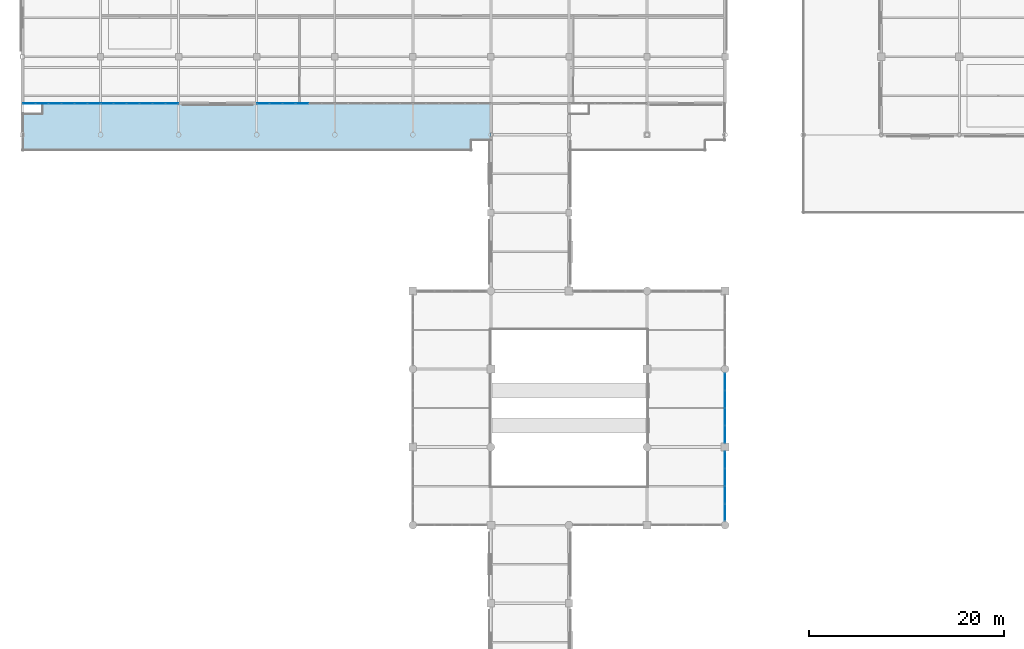
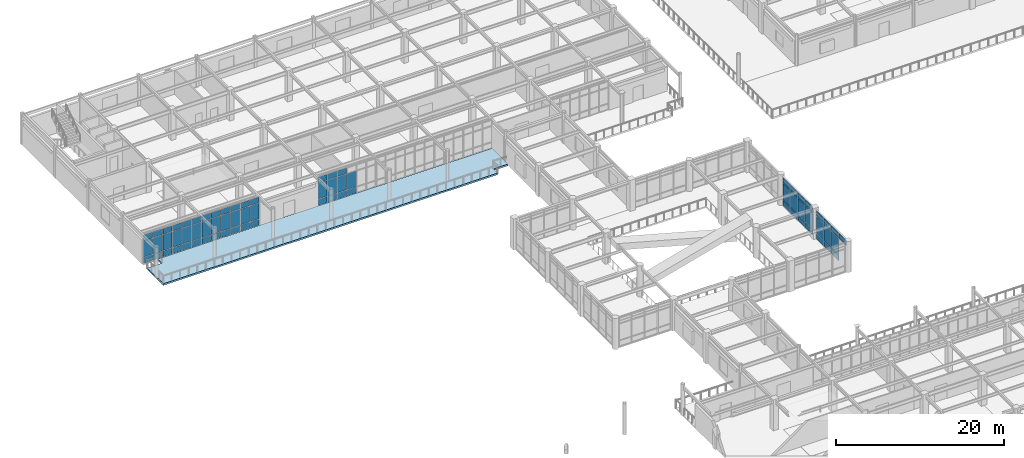
# One storey, part 50 of 75: 69 plates, 1 slab, 5 elements without a shape of their own.
"""IFC4 building model written with IfcOpenShell, lengths in metres."""

from ifc_helpers import new_model, si_unit, direction, frame, origin, origin_2d, place, context, subcontext, project, spatial, polyline, rectangle, outline, extrude, material, layer, layer_set, type_object, element, aggregate, save


model = new_model("IFC4")

# Units and contexts
model_context = context("Model", 3, precision=1e-05, world=origin(), true_north=direction((0.0, 1.0)))
body_context = subcontext(model_context, "Body", "Model", "MODEL_VIEW")
ifc_project = project(units=[si_unit("LENGTHUNIT", "METRE"), si_unit("AREAUNIT", "SQUARE_METRE"), si_unit("VOLUMEUNIT", "CUBIC_METRE"), si_unit("PLANEANGLEUNIT", "RADIAN"), si_unit("MASSUNIT", "GRAM", prefix="KILO")], contexts=[model_context])

# Site, building, storey
site_placement = place(None, origin())
site = spatial("IfcSite", under=ifc_project, at=site_placement, CompositionType="ELEMENT")
building_placement = place(site_placement, origin())
building = spatial("IfcBuilding", under=site, at=building_placement, Name="Solmirada Galleria", CompositionType="ELEMENT")
storey_placement = place(building_placement, frame((0.0, 0.0, 19.39990234375)))
storey = spatial("IfcBuildingStorey", under=building, at=storey_placement, Name="L04", CompositionType="ELEMENT", Elevation=19.39990234375)

# Curtain wall, plates
ifc_material_1 = material(Name="Impact-resistant low-E double glazing", Category="glass")
curtain_wall_type_1 = type_object("IfcCurtainWallType", Name="CW-FZ3-L04-B4-L072", PredefinedType="NOTDEFINED", material=ifc_material_1)
curtain_wall_1_placement = place(storey_placement, origin())
curtain_wall_1 = element("IfcCurtainWall", 1, at=curtain_wall_1_placement, inside=storey, type_object=curtain_wall_type_1, Name="Terrace and arcade storefront CW-L04-155", PredefinedType="NOTDEFINED")
ifc_layer_1 = layer(ifc_material_1, 0.0419921875)
ifc_layer_set_1 = layer_set([ifc_layer_1], Name="Impact-resistant low-E double glazing")
plate_type_1 = type_object("IfcPlateType", Name="CW-PNL-CW30-T42", PredefinedType="CURTAIN_PANEL", material=ifc_layer_set_1)
plate_1_placement = place(storey_placement, frame((112.0, 62.68359375, 0.06005859375), z_axis=(0.0, 0.0, 1.0), x_axis=(0.0, -1.0, 0.0)))
plate_1 = element("IfcPlate", 2, at=plate_1_placement, type_object=plate_type_1, Name="CW30 panel 1.1", PredefinedType="CURTAIN_PANEL", context=body_context, shape_type="SweptSolid", body=[
    extrude(rectangle(XDim=1.708984375, YDim=0.0419921875, at=origin_2d()), origin(), (0.0, 0.0, 1.0), 0.7900390625),
])
plate_2_placement = place(storey_placement, frame((112.0, 62.68359375, 0.91015625), z_axis=(0.0, 0.0, 1.0), x_axis=(0.0, -1.0, 0.0)))
plate_2 = element("IfcPlate", 3, at=plate_2_placement, type_object=plate_type_1, Name="CW30 panel 1.2", PredefinedType="CURTAIN_PANEL", context=body_context, shape_type="SweptSolid", body=[
    extrude(rectangle(XDim=1.708984375, YDim=0.0419921875, at=origin_2d()), origin(), (0.0, 0.0, 1.0), 2.39990234375),
])
plate_3_placement = place(storey_placement, frame((112.0, 62.68359375, 3.3701171875), z_axis=(0.0, 0.0, 1.0), x_axis=(0.0, -1.0, 0.0)))
plate_3 = element("IfcPlate", 4, at=plate_3_placement, type_object=plate_type_1, Name="CW30 panel 1.3", PredefinedType="CURTAIN_PANEL", context=body_context, shape_type="SweptSolid", body=[
    extrude(rectangle(XDim=1.708984375, YDim=0.0419921875, at=origin_2d()), origin(), (0.0, 0.0, 1.0), 0.7900390625),
])
plate_4_placement = place(storey_placement, frame((112.0, 60.8994140625, 0.06005859375), z_axis=(0.0, 0.0, 1.0), x_axis=(0.0, -1.0, 0.0)))
plate_4 = element("IfcPlate", 5, at=plate_4_placement, type_object=plate_type_1, Name="CW30 panel 2.1", PredefinedType="CURTAIN_PANEL", context=body_context, shape_type="SweptSolid", body=[
    extrude(rectangle(XDim=1.739013671875, YDim=0.0419921875, at=origin_2d()), origin(), (0.0, 0.0, 1.0), 0.7900390625),
])
plate_5_placement = place(storey_placement, frame((112.0, 60.8994140625, 0.91015625), z_axis=(0.0, 0.0, 1.0), x_axis=(0.0, -1.0, 0.0)))
plate_5 = element("IfcPlate", 6, at=plate_5_placement, type_object=plate_type_1, Name="CW30 panel 2.2", PredefinedType="CURTAIN_PANEL", context=body_context, shape_type="SweptSolid", body=[
    extrude(rectangle(XDim=1.739013671875, YDim=0.0419921875, at=origin_2d()), origin(), (0.0, 0.0, 1.0), 2.39990234375),
])
plate_6_placement = place(storey_placement, frame((112.0, 60.8994140625, 3.3701171875), z_axis=(0.0, 0.0, 1.0), x_axis=(0.0, -1.0, 0.0)))
plate_6 = element("IfcPlate", 7, at=plate_6_placement, type_object=plate_type_1, Name="CW30 panel 2.3", PredefinedType="CURTAIN_PANEL", context=body_context, shape_type="SweptSolid", body=[
    extrude(rectangle(XDim=1.739013671875, YDim=0.0419921875, at=origin_2d()), origin(), (0.0, 0.0, 1.0), 0.7900390625),
])
plate_7_placement = place(storey_placement, frame((112.0, 59.1005859375, 0.06005859375), z_axis=(0.0, 0.0, 1.0), x_axis=(0.0, -1.0, 0.0)))
plate_7 = element("IfcPlate", 8, at=plate_7_placement, type_object=plate_type_1, Name="CW30 panel 3.1", PredefinedType="CURTAIN_PANEL", context=body_context, shape_type="SweptSolid", body=[
    extrude(rectangle(XDim=1.739013671875, YDim=0.0419921875, at=origin_2d()), origin(), (0.0, 0.0, 1.0), 0.7900390625),
])
plate_8_placement = place(storey_placement, frame((112.0, 59.1005859375, 0.91015625), z_axis=(0.0, 0.0, 1.0), x_axis=(0.0, -1.0, 0.0)))
plate_8 = element("IfcPlate", 9, at=plate_8_placement, type_object=plate_type_1, Name="CW30 panel 3.2", PredefinedType="CURTAIN_PANEL", context=body_context, shape_type="SweptSolid", body=[
    extrude(rectangle(XDim=1.739013671875, YDim=0.0419921875, at=origin_2d()), origin(), (0.0, 0.0, 1.0), 2.39990234375),
])
plate_9_placement = place(storey_placement, frame((112.0, 59.1005859375, 3.3701171875), z_axis=(0.0, 0.0, 1.0), x_axis=(0.0, -1.0, 0.0)))
plate_9 = element("IfcPlate", 10, at=plate_9_placement, type_object=plate_type_1, Name="CW30 panel 3.3", PredefinedType="CURTAIN_PANEL", context=body_context, shape_type="SweptSolid", body=[
    extrude(rectangle(XDim=1.739013671875, YDim=0.0419921875, at=origin_2d()), origin(), (0.0, 0.0, 1.0), 0.7900390625),
])
plate_10_placement = place(storey_placement, frame((112.0, 57.31640625, 0.06005859375), z_axis=(0.0, 0.0, 1.0), x_axis=(0.0, -1.0, 0.0)))
plate_10 = element("IfcPlate", 11, at=plate_10_placement, type_object=plate_type_1, Name="CW30 panel 4.1", PredefinedType="CURTAIN_PANEL", context=body_context, shape_type="SweptSolid", body=[
    extrude(rectangle(XDim=1.708984375, YDim=0.0419921875, at=origin_2d()), origin(), (0.0, 0.0, 1.0), 0.7900390625),
])
plate_11_placement = place(storey_placement, frame((112.0, 57.31640625, 0.91015625), z_axis=(0.0, 0.0, 1.0), x_axis=(0.0, -1.0, 0.0)))
plate_11 = element("IfcPlate", 12, at=plate_11_placement, type_object=plate_type_1, Name="CW30 panel 4.2", PredefinedType="CURTAIN_PANEL", context=body_context, shape_type="SweptSolid", body=[
    extrude(rectangle(XDim=1.708984375, YDim=0.0419921875, at=origin_2d()), origin(), (0.0, 0.0, 1.0), 2.39990234375),
])
plate_12_placement = place(storey_placement, frame((112.0, 57.31640625, 3.3701171875), z_axis=(0.0, 0.0, 1.0), x_axis=(0.0, -1.0, 0.0)))
plate_12 = element("IfcPlate", 13, at=plate_12_placement, type_object=plate_type_1, Name="CW30 panel 4.3", PredefinedType="CURTAIN_PANEL", context=body_context, shape_type="SweptSolid", body=[
    extrude(rectangle(XDim=1.708984375, YDim=0.0419921875, at=origin_2d()), origin(), (0.0, 0.0, 1.0), 0.7900390625),
])
aggregate(curtain_wall_1, [plate_1, plate_2, plate_3, plate_4, plate_5, plate_6, plate_7, plate_8, plate_9, plate_10, plate_11, plate_12])

curtain_wall_2_placement = place(storey_placement, origin())
curtain_wall_2 = element("IfcCurtainWall", 14, at=curtain_wall_2_placement, inside=storey, type_object=curtain_wall_type_1, Name="Terrace and arcade storefront CW-L04-156", PredefinedType="NOTDEFINED")
plate_13_placement = place(storey_placement, frame((112.0, 54.68359375, 0.06005859375), z_axis=(0.0, 0.0, 1.0), x_axis=(0.0, -1.0, 0.0)))
plate_13 = element("IfcPlate", 15, at=plate_13_placement, type_object=plate_type_1, Name="CW30 panel 1.1", PredefinedType="CURTAIN_PANEL", context=body_context, shape_type="SweptSolid", body=[
    extrude(rectangle(XDim=1.708984375, YDim=0.0419921875, at=origin_2d()), origin(), (0.0, 0.0, 1.0), 0.7900390625),
])
plate_14_placement = place(storey_placement, frame((112.0, 54.68359375, 0.91015625), z_axis=(0.0, 0.0, 1.0), x_axis=(0.0, -1.0, 0.0)))
plate_14 = element("IfcPlate", 16, at=plate_14_placement, type_object=plate_type_1, Name="CW30 panel 1.2", PredefinedType="CURTAIN_PANEL", context=body_context, shape_type="SweptSolid", body=[
    extrude(rectangle(XDim=1.708984375, YDim=0.0419921875, at=origin_2d()), origin(), (0.0, 0.0, 1.0), 2.39990234375),
])
plate_15_placement = place(storey_placement, frame((112.0, 54.68359375, 3.3701171875), z_axis=(0.0, 0.0, 1.0), x_axis=(0.0, -1.0, 0.0)))
plate_15 = element("IfcPlate", 17, at=plate_15_placement, type_object=plate_type_1, Name="CW30 panel 1.3", PredefinedType="CURTAIN_PANEL", context=body_context, shape_type="SweptSolid", body=[
    extrude(rectangle(XDim=1.708984375, YDim=0.0419921875, at=origin_2d()), origin(), (0.0, 0.0, 1.0), 0.7900390625),
])
plate_16_placement = place(storey_placement, frame((112.0, 52.8994140625, 0.06005859375), z_axis=(0.0, 0.0, 1.0), x_axis=(0.0, -1.0, 0.0)))
plate_16 = element("IfcPlate", 18, at=plate_16_placement, type_object=plate_type_1, Name="CW30 panel 2.1", PredefinedType="CURTAIN_PANEL", context=body_context, shape_type="SweptSolid", body=[
    extrude(rectangle(XDim=1.739013671875, YDim=0.0419921875, at=origin_2d()), origin(), (0.0, 0.0, 1.0), 0.7900390625),
])
plate_17_placement = place(storey_placement, frame((112.0, 52.8994140625, 0.91015625), z_axis=(0.0, 0.0, 1.0), x_axis=(0.0, -1.0, 0.0)))
plate_17 = element("IfcPlate", 19, at=plate_17_placement, type_object=plate_type_1, Name="CW30 panel 2.2", PredefinedType="CURTAIN_PANEL", context=body_context, shape_type="SweptSolid", body=[
    extrude(rectangle(XDim=1.739013671875, YDim=0.0419921875, at=origin_2d()), origin(), (0.0, 0.0, 1.0), 2.39990234375),
])
plate_18_placement = place(storey_placement, frame((112.0, 52.8994140625, 3.3701171875), z_axis=(0.0, 0.0, 1.0), x_axis=(0.0, -1.0, 0.0)))
plate_18 = element("IfcPlate", 20, at=plate_18_placement, type_object=plate_type_1, Name="CW30 panel 2.3", PredefinedType="CURTAIN_PANEL", context=body_context, shape_type="SweptSolid", body=[
    extrude(rectangle(XDim=1.739013671875, YDim=0.0419921875, at=origin_2d()), origin(), (0.0, 0.0, 1.0), 0.7900390625),
])
plate_19_placement = place(storey_placement, frame((112.0, 51.1005859375, 0.06005859375), z_axis=(0.0, 0.0, 1.0), x_axis=(0.0, -1.0, 0.0)))
plate_19 = element("IfcPlate", 21, at=plate_19_placement, type_object=plate_type_1, Name="CW30 panel 3.1", PredefinedType="CURTAIN_PANEL", context=body_context, shape_type="SweptSolid", body=[
    extrude(rectangle(XDim=1.739013671875, YDim=0.0419921875, at=origin_2d()), origin(), (0.0, 0.0, 1.0), 0.7900390625),
])
plate_20_placement = place(storey_placement, frame((112.0, 51.1005859375, 0.91015625), z_axis=(0.0, 0.0, 1.0), x_axis=(0.0, -1.0, 0.0)))
plate_20 = element("IfcPlate", 22, at=plate_20_placement, type_object=plate_type_1, Name="CW30 panel 3.2", PredefinedType="CURTAIN_PANEL", context=body_context, shape_type="SweptSolid", body=[
    extrude(rectangle(XDim=1.739013671875, YDim=0.0419921875, at=origin_2d()), origin(), (0.0, 0.0, 1.0), 2.39990234375),
])
plate_21_placement = place(storey_placement, frame((112.0, 51.1005859375, 3.3701171875), z_axis=(0.0, 0.0, 1.0), x_axis=(0.0, -1.0, 0.0)))
plate_21 = element("IfcPlate", 23, at=plate_21_placement, type_object=plate_type_1, Name="CW30 panel 3.3", PredefinedType="CURTAIN_PANEL", context=body_context, shape_type="SweptSolid", body=[
    extrude(rectangle(XDim=1.739013671875, YDim=0.0419921875, at=origin_2d()), origin(), (0.0, 0.0, 1.0), 0.7900390625),
])
plate_22_placement = place(storey_placement, frame((112.0, 49.31640625, 3.3701171875), z_axis=(0.0, 0.0, 1.0), x_axis=(0.0, -1.0, 0.0)))
plate_22 = element("IfcPlate", 24, at=plate_22_placement, type_object=plate_type_1, Name="CW30 panel 4.3", PredefinedType="CURTAIN_PANEL", context=body_context, shape_type="SweptSolid", body=[
    extrude(rectangle(XDim=1.708984375, YDim=0.0419921875, at=origin_2d()), origin(), (0.0, 0.0, 1.0), 0.7900390625),
])
aggregate(curtain_wall_2, [plate_13, plate_14, plate_15, plate_16, plate_17, plate_18, plate_19, plate_20, plate_21, plate_22])

curtain_wall_type_2 = type_object("IfcCurtainWallType", Name="CW-FZ4-L04-B6-L080", PredefinedType="NOTDEFINED", material=ifc_material_1)
curtain_wall_3_placement = place(storey_placement, origin())
curtain_wall_3 = element("IfcCurtainWall", 25, at=curtain_wall_3_placement, inside=storey, type_object=curtain_wall_type_2, Name="Terrace and arcade storefront CW-L04-148", PredefinedType="NOTDEFINED")
ifc_material_2 = material(Name="Ceramic-fritted spandrel glass", Category="glass")
ifc_layer_2 = layer(ifc_material_2, 0.028076171875)
ifc_layer_set_2 = layer_set([ifc_layer_2], Name="Ceramic-fritted spandrel glass")
plate_type_2 = type_object("IfcPlateType", Name="CW-PNL-CW31-T28", PredefinedType="CURTAIN_PANEL", material=ifc_layer_set_2)
plate_23_placement = place(storey_placement, frame((68.666748046875, 91.199951171875, 0.06005859375), z_axis=(0.0, 0.0, 1.0), x_axis=(-1.0, 0.0, 0.0)))
plate_23 = element("IfcPlate", 26, at=plate_23_placement, type_object=plate_type_2, Name="CW31 panel 3.1", PredefinedType="CURTAIN_PANEL", context=body_context, shape_type="SweptSolid", body=[
    extrude(rectangle(XDim=1.2734375, YDim=0.028076171875, at=origin_2d()), origin(), (0.0, 0.0, 1.0), 0.85009765625),
])
plate_24_placement = place(storey_placement, frame((68.666748046875, 91.199951171875, 0.969970703125), z_axis=(0.0, 0.0, 1.0), x_axis=(-1.0, 0.0, 0.0)))
plate_24 = element("IfcPlate", 27, at=plate_24_placement, type_object=plate_type_2, Name="CW31 panel 3.2", PredefinedType="CURTAIN_PANEL", context=body_context, shape_type="SweptSolid", body=[
    extrude(rectangle(XDim=1.2734375, YDim=0.028076171875, at=origin_2d()), origin(), (0.0, 0.0, 1.0), 2.2900390625),
])
plate_25_placement = place(storey_placement, frame((67.333251953125, 91.199951171875, 0.06005859375), z_axis=(0.0, 0.0, 1.0), x_axis=(-1.0, 0.0, 0.0)))
plate_25 = element("IfcPlate", 28, at=plate_25_placement, type_object=plate_type_2, Name="CW31 panel 4.1", PredefinedType="CURTAIN_PANEL", context=body_context, shape_type="SweptSolid", body=[
    extrude(rectangle(XDim=1.2734375, YDim=0.028076171875, at=origin_2d()), origin(), (0.0, 0.0, 1.0), 0.85009765625),
])
plate_26_placement = place(storey_placement, frame((67.333251953125, 91.199951171875, 0.969970703125), z_axis=(0.0, 0.0, 1.0), x_axis=(-1.0, 0.0, 0.0)))
plate_26 = element("IfcPlate", 29, at=plate_26_placement, type_object=plate_type_2, Name="CW31 panel 4.2", PredefinedType="CURTAIN_PANEL", context=body_context, shape_type="SweptSolid", body=[
    extrude(rectangle(XDim=1.2734375, YDim=0.028076171875, at=origin_2d()), origin(), (0.0, 0.0, 1.0), 2.2900390625),
])
plate_27_placement = place(storey_placement, frame((67.333251953125, 91.199951171875, 3.31982421875), z_axis=(0.0, 0.0, 1.0), x_axis=(-1.0, 0.0, 0.0)))
plate_27 = element("IfcPlate", 30, at=plate_27_placement, type_object=plate_type_2, Name="CW31 panel 4.3", PredefinedType="CURTAIN_PANEL", context=body_context, shape_type="SweptSolid", body=[
    extrude(rectangle(XDim=1.2734375, YDim=0.028076171875, at=origin_2d()), origin(), (0.0, 0.0, 1.0), 0.840087890625),
])
plate_28_placement = place(storey_placement, frame((66.0, 91.199951171875, 0.06005859375), z_axis=(0.0, 0.0, 1.0), x_axis=(-1.0, 0.0, 0.0)))
plate_28 = element("IfcPlate", 31, at=plate_28_placement, type_object=plate_type_2, Name="CW31 panel 5.1", PredefinedType="CURTAIN_PANEL", context=body_context, shape_type="SweptSolid", body=[
    extrude(rectangle(XDim=1.2734375, YDim=0.028076171875, at=origin_2d()), origin(), (0.0, 0.0, 1.0), 0.85009765625),
])
plate_29_placement = place(storey_placement, frame((66.0, 91.199951171875, 0.969970703125), z_axis=(0.0, 0.0, 1.0), x_axis=(-1.0, 0.0, 0.0)))
plate_29 = element("IfcPlate", 32, at=plate_29_placement, type_object=plate_type_2, Name="CW31 panel 5.2", PredefinedType="CURTAIN_PANEL", context=body_context, shape_type="SweptSolid", body=[
    extrude(rectangle(XDim=1.2734375, YDim=0.028076171875, at=origin_2d()), origin(), (0.0, 0.0, 1.0), 2.2900390625),
])
plate_30_placement = place(storey_placement, frame((66.0, 91.199951171875, 3.31982421875), z_axis=(0.0, 0.0, 1.0), x_axis=(-1.0, 0.0, 0.0)))
plate_30 = element("IfcPlate", 33, at=plate_30_placement, type_object=plate_type_2, Name="CW31 panel 5.3", PredefinedType="CURTAIN_PANEL", context=body_context, shape_type="SweptSolid", body=[
    extrude(rectangle(XDim=1.2734375, YDim=0.028076171875, at=origin_2d()), origin(), (0.0, 0.0, 1.0), 0.840087890625),
])
plate_31_placement = place(storey_placement, frame((64.681640625, 91.199951171875, 0.06005859375), z_axis=(0.0, 0.0, 1.0), x_axis=(-1.0, 0.0, 0.0)))
plate_31 = element("IfcPlate", 34, at=plate_31_placement, type_object=plate_type_2, Name="CW31 panel 6.1", PredefinedType="CURTAIN_PANEL", context=body_context, shape_type="SweptSolid", body=[
    extrude(rectangle(XDim=1.243408203125, YDim=0.028076171875, at=origin_2d()), origin(), (0.0, 0.0, 1.0), 0.85009765625),
])
plate_32_placement = place(storey_placement, frame((64.681640625, 91.199951171875, 0.969970703125), z_axis=(0.0, 0.0, 1.0), x_axis=(-1.0, 0.0, 0.0)))
plate_32 = element("IfcPlate", 35, at=plate_32_placement, type_object=plate_type_2, Name="CW31 panel 6.2", PredefinedType="CURTAIN_PANEL", context=body_context, shape_type="SweptSolid", body=[
    extrude(rectangle(XDim=1.243408203125, YDim=0.028076171875, at=origin_2d()), origin(), (0.0, 0.0, 1.0), 2.2900390625),
])
plate_33_placement = place(storey_placement, frame((64.681640625, 91.199951171875, 3.31982421875), z_axis=(0.0, 0.0, 1.0), x_axis=(-1.0, 0.0, 0.0)))
plate_33 = element("IfcPlate", 36, at=plate_33_placement, type_object=plate_type_2, Name="CW31 panel 6.3", PredefinedType="CURTAIN_PANEL", context=body_context, shape_type="SweptSolid", body=[
    extrude(rectangle(XDim=1.243408203125, YDim=0.028076171875, at=origin_2d()), origin(), (0.0, 0.0, 1.0), 0.840087890625),
])
aggregate(curtain_wall_3, [plate_23, plate_24, plate_25, plate_26, plate_27, plate_28, plate_29, plate_30, plate_31, plate_32, plate_33])

curtain_wall_4_placement = place(storey_placement, origin())
curtain_wall_4 = element("IfcCurtainWall", 37, at=curtain_wall_4_placement, inside=storey, type_object=curtain_wall_type_2, Name="Terrace and arcade storefront CW-L04-149", PredefinedType="NOTDEFINED")
plate_34_placement = place(storey_placement, frame((55.318359375, 91.199951171875, 0.06005859375), z_axis=(0.0, 0.0, 1.0), x_axis=(-1.0, 0.0, 0.0)))
plate_34 = element("IfcPlate", 38, at=plate_34_placement, type_object=plate_type_2, Name="CW31 panel 1.1", PredefinedType="CURTAIN_PANEL", context=body_context, shape_type="SweptSolid", body=[
    extrude(rectangle(XDim=1.243408203125, YDim=0.028076171875, at=origin_2d()), origin(), (0.0, 0.0, 1.0), 0.85009765625),
])
plate_35_placement = place(storey_placement, frame((55.318359375, 91.199951171875, 0.969970703125), z_axis=(0.0, 0.0, 1.0), x_axis=(-1.0, 0.0, 0.0)))
plate_35 = element("IfcPlate", 39, at=plate_35_placement, type_object=plate_type_2, Name="CW31 panel 1.2", PredefinedType="CURTAIN_PANEL", context=body_context, shape_type="SweptSolid", body=[
    extrude(rectangle(XDim=1.243408203125, YDim=0.028076171875, at=origin_2d()), origin(), (0.0, 0.0, 1.0), 2.2900390625),
])
plate_36_placement = place(storey_placement, frame((55.318359375, 91.199951171875, 3.31982421875), z_axis=(0.0, 0.0, 1.0), x_axis=(-1.0, 0.0, 0.0)))
plate_36 = element("IfcPlate", 40, at=plate_36_placement, type_object=plate_type_2, Name="CW31 panel 1.3", PredefinedType="CURTAIN_PANEL", context=body_context, shape_type="SweptSolid", body=[
    extrude(rectangle(XDim=1.243408203125, YDim=0.028076171875, at=origin_2d()), origin(), (0.0, 0.0, 1.0), 0.840087890625),
])
plate_37_placement = place(storey_placement, frame((54.0, 91.199951171875, 0.06005859375), z_axis=(0.0, 0.0, 1.0), x_axis=(-1.0, 0.0, 0.0)))
plate_37 = element("IfcPlate", 41, at=plate_37_placement, type_object=plate_type_2, Name="CW31 panel 2.1", PredefinedType="CURTAIN_PANEL", context=body_context, shape_type="SweptSolid", body=[
    extrude(rectangle(XDim=1.2734375, YDim=0.028076171875, at=origin_2d()), origin(), (0.0, 0.0, 1.0), 0.85009765625),
])
plate_38_placement = place(storey_placement, frame((54.0, 91.199951171875, 0.969970703125), z_axis=(0.0, 0.0, 1.0), x_axis=(-1.0, 0.0, 0.0)))
plate_38 = element("IfcPlate", 42, at=plate_38_placement, type_object=plate_type_2, Name="CW31 panel 2.2", PredefinedType="CURTAIN_PANEL", context=body_context, shape_type="SweptSolid", body=[
    extrude(rectangle(XDim=1.2734375, YDim=0.028076171875, at=origin_2d()), origin(), (0.0, 0.0, 1.0), 2.2900390625),
])
plate_39_placement = place(storey_placement, frame((54.0, 91.199951171875, 3.31982421875), z_axis=(0.0, 0.0, 1.0), x_axis=(-1.0, 0.0, 0.0)))
plate_39 = element("IfcPlate", 43, at=plate_39_placement, type_object=plate_type_2, Name="CW31 panel 2.3", PredefinedType="CURTAIN_PANEL", context=body_context, shape_type="SweptSolid", body=[
    extrude(rectangle(XDim=1.2734375, YDim=0.028076171875, at=origin_2d()), origin(), (0.0, 0.0, 1.0), 0.840087890625),
])
plate_40_placement = place(storey_placement, frame((52.666748046875, 91.199951171875, 0.06005859375), z_axis=(0.0, 0.0, 1.0), x_axis=(-1.0, 0.0, 0.0)))
plate_40 = element("IfcPlate", 44, at=plate_40_placement, type_object=plate_type_2, Name="CW31 panel 3.1", PredefinedType="CURTAIN_PANEL", context=body_context, shape_type="SweptSolid", body=[
    extrude(rectangle(XDim=1.2734375, YDim=0.028076171875, at=origin_2d()), origin(), (0.0, 0.0, 1.0), 0.85009765625),
])
plate_41_placement = place(storey_placement, frame((52.666748046875, 91.199951171875, 0.969970703125), z_axis=(0.0, 0.0, 1.0), x_axis=(-1.0, 0.0, 0.0)))
plate_41 = element("IfcPlate", 45, at=plate_41_placement, type_object=plate_type_2, Name="CW31 panel 3.2", PredefinedType="CURTAIN_PANEL", context=body_context, shape_type="SweptSolid", body=[
    extrude(rectangle(XDim=1.2734375, YDim=0.028076171875, at=origin_2d()), origin(), (0.0, 0.0, 1.0), 2.2900390625),
])
plate_42_placement = place(storey_placement, frame((52.666748046875, 91.199951171875, 3.31982421875), z_axis=(0.0, 0.0, 1.0), x_axis=(-1.0, 0.0, 0.0)))
plate_42 = element("IfcPlate", 46, at=plate_42_placement, type_object=plate_type_2, Name="CW31 panel 3.3", PredefinedType="CURTAIN_PANEL", context=body_context, shape_type="SweptSolid", body=[
    extrude(rectangle(XDim=1.2734375, YDim=0.028076171875, at=origin_2d()), origin(), (0.0, 0.0, 1.0), 0.840087890625),
])
plate_43_placement = place(storey_placement, frame((51.333251953125, 91.199951171875, 0.06005859375), z_axis=(0.0, 0.0, 1.0), x_axis=(-1.0, 0.0, 0.0)))
plate_43 = element("IfcPlate", 47, at=plate_43_placement, type_object=plate_type_2, Name="CW31 panel 4.1", PredefinedType="CURTAIN_PANEL", context=body_context, shape_type="SweptSolid", body=[
    extrude(rectangle(XDim=1.2734375, YDim=0.028076171875, at=origin_2d()), origin(), (0.0, 0.0, 1.0), 0.85009765625),
])
plate_44_placement = place(storey_placement, frame((51.333251953125, 91.199951171875, 0.969970703125), z_axis=(0.0, 0.0, 1.0), x_axis=(-1.0, 0.0, 0.0)))
plate_44 = element("IfcPlate", 48, at=plate_44_placement, type_object=plate_type_2, Name="CW31 panel 4.2", PredefinedType="CURTAIN_PANEL", context=body_context, shape_type="SweptSolid", body=[
    extrude(rectangle(XDim=1.2734375, YDim=0.028076171875, at=origin_2d()), origin(), (0.0, 0.0, 1.0), 2.2900390625),
])
plate_45_placement = place(storey_placement, frame((51.333251953125, 91.199951171875, 3.31982421875), z_axis=(0.0, 0.0, 1.0), x_axis=(-1.0, 0.0, 0.0)))
plate_45 = element("IfcPlate", 49, at=plate_45_placement, type_object=plate_type_2, Name="CW31 panel 4.3", PredefinedType="CURTAIN_PANEL", context=body_context, shape_type="SweptSolid", body=[
    extrude(rectangle(XDim=1.2734375, YDim=0.028076171875, at=origin_2d()), origin(), (0.0, 0.0, 1.0), 0.840087890625),
])
plate_46_placement = place(storey_placement, frame((50.0, 91.199951171875, 0.06005859375), z_axis=(0.0, 0.0, 1.0), x_axis=(-1.0, 0.0, 0.0)))
plate_46 = element("IfcPlate", 50, at=plate_46_placement, type_object=plate_type_2, Name="CW31 panel 5.1", PredefinedType="CURTAIN_PANEL", context=body_context, shape_type="SweptSolid", body=[
    extrude(rectangle(XDim=1.2734375, YDim=0.028076171875, at=origin_2d()), origin(), (0.0, 0.0, 1.0), 0.85009765625),
])
plate_47_placement = place(storey_placement, frame((50.0, 91.199951171875, 0.969970703125), z_axis=(0.0, 0.0, 1.0), x_axis=(-1.0, 0.0, 0.0)))
plate_47 = element("IfcPlate", 51, at=plate_47_placement, type_object=plate_type_2, Name="CW31 panel 5.2", PredefinedType="CURTAIN_PANEL", context=body_context, shape_type="SweptSolid", body=[
    extrude(rectangle(XDim=1.2734375, YDim=0.028076171875, at=origin_2d()), origin(), (0.0, 0.0, 1.0), 2.2900390625),
])
plate_48_placement = place(storey_placement, frame((50.0, 91.199951171875, 3.31982421875), z_axis=(0.0, 0.0, 1.0), x_axis=(-1.0, 0.0, 0.0)))
plate_48 = element("IfcPlate", 52, at=plate_48_placement, type_object=plate_type_2, Name="CW31 panel 5.3", PredefinedType="CURTAIN_PANEL", context=body_context, shape_type="SweptSolid", body=[
    extrude(rectangle(XDim=1.2734375, YDim=0.028076171875, at=origin_2d()), origin(), (0.0, 0.0, 1.0), 0.840087890625),
])
plate_49_placement = place(storey_placement, frame((48.681640625, 91.199951171875, 0.06005859375), z_axis=(0.0, 0.0, 1.0), x_axis=(-1.0, 0.0, 0.0)))
plate_49 = element("IfcPlate", 53, at=plate_49_placement, type_object=plate_type_2, Name="CW31 panel 6.1", PredefinedType="CURTAIN_PANEL", context=body_context, shape_type="SweptSolid", body=[
    extrude(rectangle(XDim=1.243408203125, YDim=0.028076171875, at=origin_2d()), origin(), (0.0, 0.0, 1.0), 0.85009765625),
])
plate_50_placement = place(storey_placement, frame((48.681640625, 91.199951171875, 0.969970703125), z_axis=(0.0, 0.0, 1.0), x_axis=(-1.0, 0.0, 0.0)))
plate_50 = element("IfcPlate", 54, at=plate_50_placement, type_object=plate_type_2, Name="CW31 panel 6.2", PredefinedType="CURTAIN_PANEL", context=body_context, shape_type="SweptSolid", body=[
    extrude(rectangle(XDim=1.243408203125, YDim=0.028076171875, at=origin_2d()), origin(), (0.0, 0.0, 1.0), 2.2900390625),
])
plate_51_placement = place(storey_placement, frame((48.681640625, 91.199951171875, 3.31982421875), z_axis=(0.0, 0.0, 1.0), x_axis=(-1.0, 0.0, 0.0)))
plate_51 = element("IfcPlate", 55, at=plate_51_placement, type_object=plate_type_2, Name="CW31 panel 6.3", PredefinedType="CURTAIN_PANEL", context=body_context, shape_type="SweptSolid", body=[
    extrude(rectangle(XDim=1.243408203125, YDim=0.028076171875, at=origin_2d()), origin(), (0.0, 0.0, 1.0), 0.840087890625),
])
aggregate(curtain_wall_4, [plate_34, plate_35, plate_36, plate_37, plate_38, plate_39, plate_40, plate_41, plate_42, plate_43, plate_44, plate_45, plate_46, plate_47, plate_48, plate_49, plate_50, plate_51])

curtain_wall_5_placement = place(storey_placement, origin())
curtain_wall_5 = element("IfcCurtainWall", 56, at=curtain_wall_5_placement, inside=storey, type_object=curtain_wall_type_2, Name="Terrace and arcade storefront CW-L04-150", PredefinedType="NOTDEFINED")
plate_52_placement = place(storey_placement, frame((47.318359375, 91.199951171875, 0.06005859375), z_axis=(0.0, 0.0, 1.0), x_axis=(-1.0, 0.0, 0.0)))
plate_52 = element("IfcPlate", 57, at=plate_52_placement, type_object=plate_type_2, Name="CW31 panel 1.1", PredefinedType="CURTAIN_PANEL", context=body_context, shape_type="SweptSolid", body=[
    extrude(rectangle(XDim=1.243408203125, YDim=0.028076171875, at=origin_2d()), origin(), (0.0, 0.0, 1.0), 0.85009765625),
])
plate_53_placement = place(storey_placement, frame((47.318359375, 91.199951171875, 0.969970703125), z_axis=(0.0, 0.0, 1.0), x_axis=(-1.0, 0.0, 0.0)))
plate_53 = element("IfcPlate", 58, at=plate_53_placement, type_object=plate_type_2, Name="CW31 panel 1.2", PredefinedType="CURTAIN_PANEL", context=body_context, shape_type="SweptSolid", body=[
    extrude(rectangle(XDim=1.243408203125, YDim=0.028076171875, at=origin_2d()), origin(), (0.0, 0.0, 1.0), 2.2900390625),
])
plate_54_placement = place(storey_placement, frame((47.318359375, 91.199951171875, 3.31982421875), z_axis=(0.0, 0.0, 1.0), x_axis=(-1.0, 0.0, 0.0)))
plate_54 = element("IfcPlate", 59, at=plate_54_placement, type_object=plate_type_2, Name="CW31 panel 1.3", PredefinedType="CURTAIN_PANEL", context=body_context, shape_type="SweptSolid", body=[
    extrude(rectangle(XDim=1.243408203125, YDim=0.028076171875, at=origin_2d()), origin(), (0.0, 0.0, 1.0), 0.840087890625),
])
plate_55_placement = place(storey_placement, frame((46.0, 91.199951171875, 0.06005859375), z_axis=(0.0, 0.0, 1.0), x_axis=(-1.0, 0.0, 0.0)))
plate_55 = element("IfcPlate", 60, at=plate_55_placement, type_object=plate_type_2, Name="CW31 panel 2.1", PredefinedType="CURTAIN_PANEL", context=body_context, shape_type="SweptSolid", body=[
    extrude(rectangle(XDim=1.2734375, YDim=0.028076171875, at=origin_2d()), origin(), (0.0, 0.0, 1.0), 0.85009765625),
])
plate_56_placement = place(storey_placement, frame((46.0, 91.199951171875, 0.969970703125), z_axis=(0.0, 0.0, 1.0), x_axis=(-1.0, 0.0, 0.0)))
plate_56 = element("IfcPlate", 61, at=plate_56_placement, type_object=plate_type_2, Name="CW31 panel 2.2", PredefinedType="CURTAIN_PANEL", context=body_context, shape_type="SweptSolid", body=[
    extrude(rectangle(XDim=1.2734375, YDim=0.028076171875, at=origin_2d()), origin(), (0.0, 0.0, 1.0), 2.2900390625),
])
plate_57_placement = place(storey_placement, frame((46.0, 91.199951171875, 3.31982421875), z_axis=(0.0, 0.0, 1.0), x_axis=(-1.0, 0.0, 0.0)))
plate_57 = element("IfcPlate", 62, at=plate_57_placement, type_object=plate_type_2, Name="CW31 panel 2.3", PredefinedType="CURTAIN_PANEL", context=body_context, shape_type="SweptSolid", body=[
    extrude(rectangle(XDim=1.2734375, YDim=0.028076171875, at=origin_2d()), origin(), (0.0, 0.0, 1.0), 0.840087890625),
])
plate_58_placement = place(storey_placement, frame((44.666748046875, 91.199951171875, 0.06005859375), z_axis=(0.0, 0.0, 1.0), x_axis=(-1.0, 0.0, 0.0)))
plate_58 = element("IfcPlate", 63, at=plate_58_placement, type_object=plate_type_2, Name="CW31 panel 3.1", PredefinedType="CURTAIN_PANEL", context=body_context, shape_type="SweptSolid", body=[
    extrude(rectangle(XDim=1.2734375, YDim=0.028076171875, at=origin_2d()), origin(), (0.0, 0.0, 1.0), 0.85009765625),
])
plate_59_placement = place(storey_placement, frame((44.666748046875, 91.199951171875, 0.969970703125), z_axis=(0.0, 0.0, 1.0), x_axis=(-1.0, 0.0, 0.0)))
plate_59 = element("IfcPlate", 64, at=plate_59_placement, type_object=plate_type_2, Name="CW31 panel 3.2", PredefinedType="CURTAIN_PANEL", context=body_context, shape_type="SweptSolid", body=[
    extrude(rectangle(XDim=1.2734375, YDim=0.028076171875, at=origin_2d()), origin(), (0.0, 0.0, 1.0), 2.2900390625),
])
plate_60_placement = place(storey_placement, frame((44.666748046875, 91.199951171875, 3.31982421875), z_axis=(0.0, 0.0, 1.0), x_axis=(-1.0, 0.0, 0.0)))
plate_60 = element("IfcPlate", 65, at=plate_60_placement, type_object=plate_type_2, Name="CW31 panel 3.3", PredefinedType="CURTAIN_PANEL", context=body_context, shape_type="SweptSolid", body=[
    extrude(rectangle(XDim=1.2734375, YDim=0.028076171875, at=origin_2d()), origin(), (0.0, 0.0, 1.0), 0.840087890625),
])
plate_61_placement = place(storey_placement, frame((43.333251953125, 91.199951171875, 0.06005859375), z_axis=(0.0, 0.0, 1.0), x_axis=(-1.0, 0.0, 0.0)))
plate_61 = element("IfcPlate", 66, at=plate_61_placement, type_object=plate_type_2, Name="CW31 panel 4.1", PredefinedType="CURTAIN_PANEL", context=body_context, shape_type="SweptSolid", body=[
    extrude(rectangle(XDim=1.2734375, YDim=0.028076171875, at=origin_2d()), origin(), (0.0, 0.0, 1.0), 0.85009765625),
])
plate_62_placement = place(storey_placement, frame((43.333251953125, 91.199951171875, 0.969970703125), z_axis=(0.0, 0.0, 1.0), x_axis=(-1.0, 0.0, 0.0)))
plate_62 = element("IfcPlate", 67, at=plate_62_placement, type_object=plate_type_2, Name="CW31 panel 4.2", PredefinedType="CURTAIN_PANEL", context=body_context, shape_type="SweptSolid", body=[
    extrude(rectangle(XDim=1.2734375, YDim=0.028076171875, at=origin_2d()), origin(), (0.0, 0.0, 1.0), 2.2900390625),
])
plate_63_placement = place(storey_placement, frame((43.333251953125, 91.199951171875, 3.31982421875), z_axis=(0.0, 0.0, 1.0), x_axis=(-1.0, 0.0, 0.0)))
plate_63 = element("IfcPlate", 68, at=plate_63_placement, type_object=plate_type_2, Name="CW31 panel 4.3", PredefinedType="CURTAIN_PANEL", context=body_context, shape_type="SweptSolid", body=[
    extrude(rectangle(XDim=1.2734375, YDim=0.028076171875, at=origin_2d()), origin(), (0.0, 0.0, 1.0), 0.840087890625),
])
plate_64_placement = place(storey_placement, frame((42.0, 91.199951171875, 0.06005859375), z_axis=(0.0, 0.0, 1.0), x_axis=(-1.0, 0.0, 0.0)))
plate_64 = element("IfcPlate", 69, at=plate_64_placement, type_object=plate_type_2, Name="CW31 panel 5.1", PredefinedType="CURTAIN_PANEL", context=body_context, shape_type="SweptSolid", body=[
    extrude(rectangle(XDim=1.2734375, YDim=0.028076171875, at=origin_2d()), origin(), (0.0, 0.0, 1.0), 0.85009765625),
])
plate_65_placement = place(storey_placement, frame((42.0, 91.199951171875, 0.969970703125), z_axis=(0.0, 0.0, 1.0), x_axis=(-1.0, 0.0, 0.0)))
plate_65 = element("IfcPlate", 70, at=plate_65_placement, type_object=plate_type_2, Name="CW31 panel 5.2", PredefinedType="CURTAIN_PANEL", context=body_context, shape_type="SweptSolid", body=[
    extrude(rectangle(XDim=1.2734375, YDim=0.028076171875, at=origin_2d()), origin(), (0.0, 0.0, 1.0), 2.2900390625),
])
plate_66_placement = place(storey_placement, frame((42.0, 91.199951171875, 3.31982421875), z_axis=(0.0, 0.0, 1.0), x_axis=(-1.0, 0.0, 0.0)))
plate_66 = element("IfcPlate", 71, at=plate_66_placement, type_object=plate_type_2, Name="CW31 panel 5.3", PredefinedType="CURTAIN_PANEL", context=body_context, shape_type="SweptSolid", body=[
    extrude(rectangle(XDim=1.2734375, YDim=0.028076171875, at=origin_2d()), origin(), (0.0, 0.0, 1.0), 0.840087890625),
])
plate_67_placement = place(storey_placement, frame((40.681640625, 91.199951171875, 0.06005859375), z_axis=(0.0, 0.0, 1.0), x_axis=(-1.0, 0.0, 0.0)))
plate_67 = element("IfcPlate", 72, at=plate_67_placement, type_object=plate_type_2, Name="CW31 panel 6.1", PredefinedType="CURTAIN_PANEL", context=body_context, shape_type="SweptSolid", body=[
    extrude(rectangle(XDim=1.243408203125, YDim=0.028076171875, at=origin_2d()), origin(), (0.0, 0.0, 1.0), 0.85009765625),
])
plate_68_placement = place(storey_placement, frame((40.681640625, 91.199951171875, 0.969970703125), z_axis=(0.0, 0.0, 1.0), x_axis=(-1.0, 0.0, 0.0)))
plate_68 = element("IfcPlate", 73, at=plate_68_placement, type_object=plate_type_2, Name="CW31 panel 6.2", PredefinedType="CURTAIN_PANEL", context=body_context, shape_type="SweptSolid", body=[
    extrude(rectangle(XDim=1.243408203125, YDim=0.028076171875, at=origin_2d()), origin(), (0.0, 0.0, 1.0), 2.2900390625),
])
plate_69_placement = place(storey_placement, frame((40.681640625, 91.199951171875, 3.31982421875), z_axis=(0.0, 0.0, 1.0), x_axis=(-1.0, 0.0, 0.0)))
plate_69 = element("IfcPlate", 74, at=plate_69_placement, type_object=plate_type_2, Name="CW31 panel 6.3", PredefinedType="CURTAIN_PANEL", context=body_context, shape_type="SweptSolid", body=[
    extrude(rectangle(XDim=1.243408203125, YDim=0.028076171875, at=origin_2d()), origin(), (0.0, 0.0, 1.0), 0.840087890625),
])
aggregate(curtain_wall_5, [plate_52, plate_53, plate_54, plate_55, plate_56, plate_57, plate_58, plate_59, plate_60, plate_61, plate_62, plate_63, plate_64, plate_65, plate_66, plate_67, plate_68, plate_69])

# Slab
ifc_material_3 = material(Name="Concrete C35/45", Category="concrete")
ifc_layer_3 = layer(ifc_material_3, 0.239990234375)
ifc_layer_set_3 = layer_set([ifc_layer_3], Name="Concrete C35/45")
slab_type = type_object("IfcSlabType", Name="SLB-TERR-240", PredefinedType="FLOOR", material=ifc_layer_set_3)
slab_placement = place(storey_placement, frame((0.0, 0.0, -0.239990234375)))
element("IfcSlab", 75, at=slab_placement, inside=storey, type_object=slab_type, Name="Slab L04-TERR-NW", PredefinedType="FLOOR", context=body_context, shape_type="SweptSolid", body=[
    extrude(outline(polyline([(40.0, 86.39990234375), (86.0, 86.39990234375), (86.0, 87.39990234375), (88.0, 87.39990234375), (88.0, 91.199951171875), (42.0, 91.199951171875), (42.0, 90.199951171875), (40.0, 90.199951171875), (40.0, 86.39990234375)])), origin(), (0.0, 0.0, 1.0), 0.239990234375),
])

save(model, "model.ifc")
